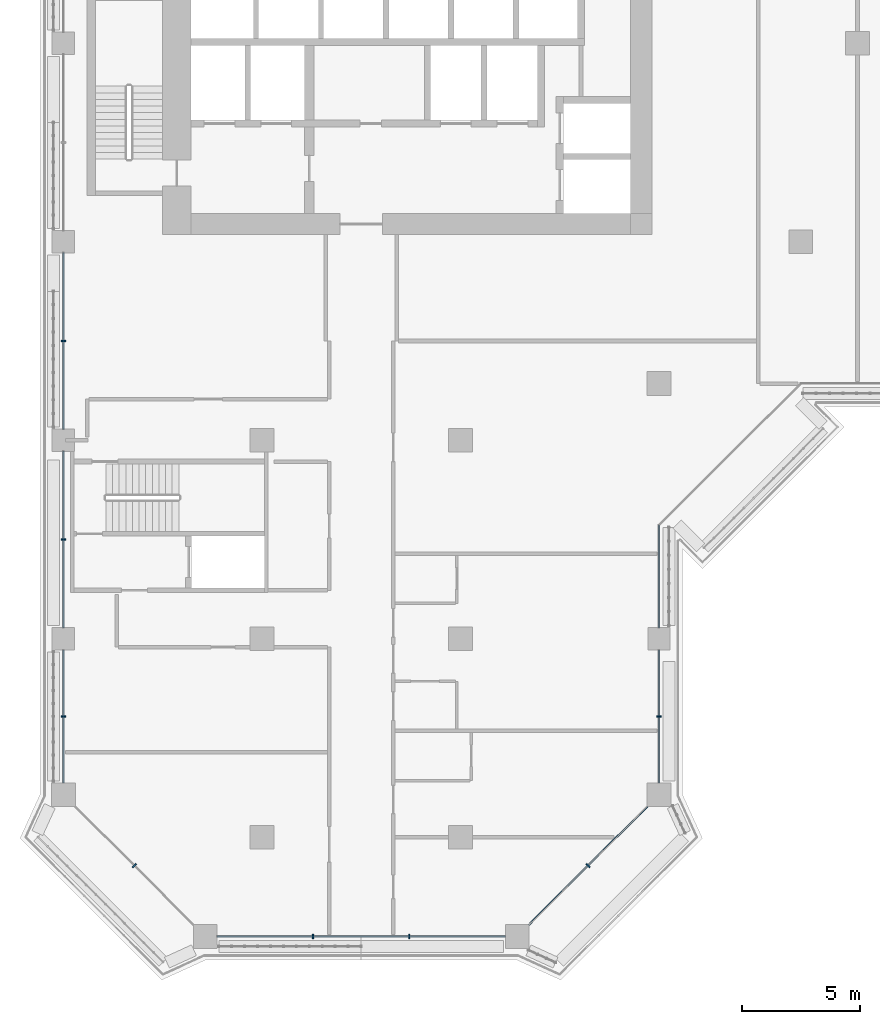
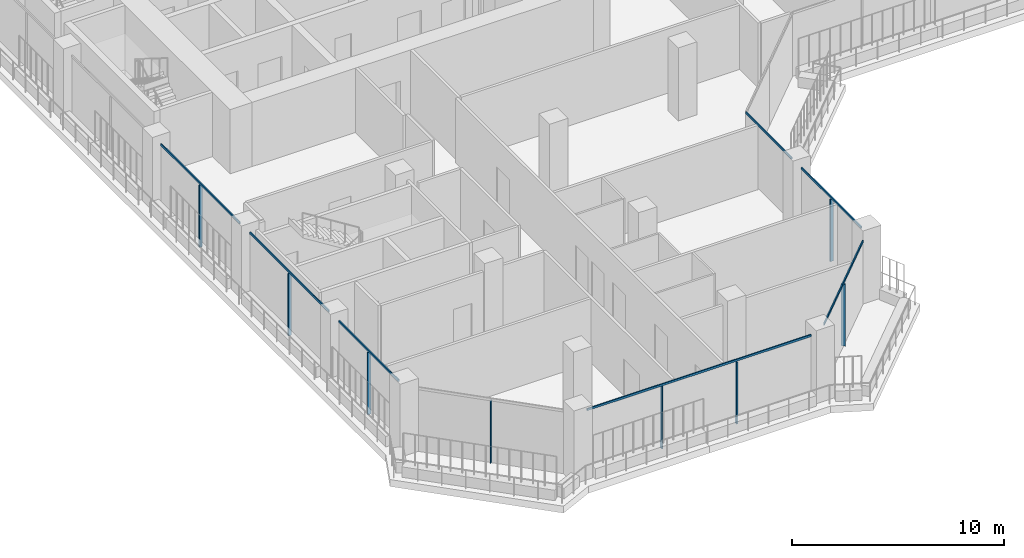
# One storey, part 2 of 22: 15 members, 5 elements without a shape of their own.
"""IFC4 building model written with IfcOpenShell, lengths in metres."""

from ifc_helpers import new_model, si_unit, direction, frame, origin, origin_2d, place, context, subcontext, project, spatial, rectangle, extrude, material, layer, layer_set, material_profile, profile_set, type_object, element, aggregate, save


model = new_model("IFC4")

# Units and contexts
model_context = context("Model", 3, precision=1e-05, world=origin(), true_north=direction((0.0, 1.0)))
body_context = subcontext(model_context, "Body", "Model", "MODEL_VIEW")
ifc_project = project(units=[si_unit("LENGTHUNIT", "METRE"), si_unit("AREAUNIT", "SQUARE_METRE"), si_unit("VOLUMEUNIT", "CUBIC_METRE"), si_unit("PLANEANGLEUNIT", "RADIAN"), si_unit("MASSUNIT", "GRAM", prefix="KILO")], contexts=[model_context])

# Site, building, storey
site_placement = place(None, origin())
site = spatial("IfcSite", under=ifc_project, at=site_placement, CompositionType="ELEMENT")
building_placement = place(site_placement, origin())
building = spatial("IfcBuilding", under=site, at=building_placement, Name="Kawkab Arch Medical Tower", CompositionType="ELEMENT")
storey_placement = place(building_placement, frame((0.0, 0.0, 208.800048828125)))
storey = spatial("IfcBuildingStorey", under=building, at=storey_placement, Name="L48", CompositionType="ELEMENT", Elevation=208.800048828125)

# Curtain wall, members
ifc_material_1 = material(Name="Bronze anodised aluminium curtain wall frame", Category="aluminium")
ifc_layer_1 = layer(ifc_material_1, 0.159912109375)
ifc_layer_set_1 = layer_set([ifc_layer_1], Name="Bronze anodised aluminium curtain wall frame")
curtain_wall_type_1 = type_object("IfcCurtainWallType", Name="CW1 ward curtain wall", PredefinedType="NOTDEFINED", material=ifc_layer_set_1)
placement = place(storey_placement, origin())
curtain_wall_1 = element("IfcCurtainWall", 1, at=placement, inside=storey, type_object=curtain_wall_type_1, Name="CW1 Ward curtain wall R01", PredefinedType="NOTDEFINED")
ifc_material_2 = material(Name="Bronze anodised aluminium curtain wall frame", Category="aluminium")
ifc_material_profile_1 = material_profile(ifc_material_2, rectangle(XDim=0.179931640625, YDim=0.06005859375, at=origin_2d()), Name="AL 60x180")
ifc_profile_set_1 = profile_set([ifc_material_profile_1], Name="Bronze anodised aluminium curtain wall frame")
member_type_1 = type_object("IfcMemberType", Name="CW1 mullion 60 x 180", PredefinedType="MULLION", material=ifc_profile_set_1)
member_1_placement = place(storey_placement, frame((0.0, -29.39990234375, 0.0), z_axis=(0.0, 0.0, 1.0), x_axis=(1.0, 0.0, 0.0)))
member_1 = element("IfcMember", 2, at=member_1_placement, type_object=member_type_1, Name="CW1 mullion 3.1", PredefinedType="MULLION", context=body_context, shape_type="SweptSolid", body=[
    extrude(rectangle(XDim=0.179931640625, YDim=0.06005859375, at=origin_2d()), origin(), (0.0, 0.0, 1.0), 3.579833984375),
])
member_2_placement = place(storey_placement, frame((0.0, -37.800048828125, 0.0), z_axis=(0.0, 0.0, 1.0), x_axis=(1.0, 0.0, 0.0)))
member_2 = element("IfcMember", 3, at=member_2_placement, type_object=member_type_1, Name="CW1 mullion 4.1", PredefinedType="MULLION", context=body_context, shape_type="SweptSolid", body=[
    extrude(rectangle(XDim=0.179931640625, YDim=0.06005859375, at=origin_2d()), origin(), (0.0, 0.0, 1.0), 3.579833984375),
])
member_3_placement = place(storey_placement, frame((0.0, -45.28759765625, 0.0), z_axis=(0.0, 0.0, 1.0), x_axis=(1.0, 0.0, 0.0)))
member_3 = element("IfcMember", 4, at=member_3_placement, type_object=member_type_1, Name="CW1 mullion 5.1", PredefinedType="MULLION", context=body_context, shape_type="SweptSolid", body=[
    extrude(rectangle(XDim=0.179931640625, YDim=0.06005859375, at=origin_2d()), origin(), (0.0, 0.0, 1.0), 3.579833984375),
])

curtain_wall_2 = element("IfcCurtainWall", 5, at=placement, inside=storey, type_object=curtain_wall_type_1, Name="CW1 Ward curtain wall R03", PredefinedType="NOTDEFINED")
member_4_placement = place(storey_placement, frame((10.566650390625, -54.60009765625, 0.0), z_axis=(0.0, 0.0, 1.0), x_axis=(0.0, 1.0, 0.0)))
member_4 = element("IfcMember", 6, at=member_4_placement, type_object=member_type_1, Name="CW1 mullion 1.1", PredefinedType="MULLION", context=body_context, shape_type="SweptSolid", body=[
    extrude(rectangle(XDim=0.179931640625, YDim=0.06005859375, at=origin_2d()), origin(), (0.0, 0.0, 1.0), 3.579833984375),
])
member_5_placement = place(storey_placement, frame((14.63330078125, -54.60009765625, 0.0), z_axis=(0.0, 0.0, 1.0), x_axis=(0.0, 1.0, 0.0)))
member_5 = element("IfcMember", 7, at=member_5_placement, type_object=member_type_1, Name="CW1 mullion 1.2", PredefinedType="MULLION", context=body_context, shape_type="SweptSolid", body=[
    extrude(rectangle(XDim=0.179931640625, YDim=0.06005859375, at=origin_2d()), origin(), (0.0, 0.0, 1.0), 3.579833984375),
])

# Curtain wall, member
curtain_wall_3 = element("IfcCurtainWall", 8, at=placement, inside=storey, type_object=curtain_wall_type_1, Name="CW1 Ward curtain wall R05", PredefinedType="NOTDEFINED")
member_6_placement = place(storey_placement, frame((25.199951171875, -45.28759765625, 0.0), z_axis=(0.0, 0.0, 1.0), x_axis=(-1.0, 0.0, 0.0)))
member_6 = element("IfcMember", 9, at=member_6_placement, type_object=member_type_1, Name="CW1 mullion 1.1", PredefinedType="MULLION", context=body_context, shape_type="SweptSolid", body=[
    extrude(rectangle(XDim=0.179931640625, YDim=0.06005859375, at=origin_2d()), origin(), (0.0, 0.0, 1.0), 3.579833984375),
])

# Member
ifc_material_3 = material(Name="Bronze anodised aluminium curtain wall frame", Category="aluminium")
ifc_material_profile_2 = material_profile(ifc_material_3, rectangle(XDim=0.06005859375, YDim=0.1201171875, at=origin_2d()), Name="AL 60x120")
ifc_profile_set_2 = profile_set([ifc_material_profile_2], Name="Bronze anodised aluminium curtain wall frame")
member_type_2 = type_object("IfcMemberType", Name="CW1 transom 120 x 60", PredefinedType="USERDEFINED", material=ifc_profile_set_2)
member_7_placement = place(storey_placement, frame((0.0, -25.675048828125, 3.639892578125), z_axis=(0.0, -1.0, 0.0), x_axis=(1.0, 0.0, 0.0)))
member_7 = element("IfcMember", 10, at=member_7_placement, type_object=member_type_2, Name="CW1 transom 3", ObjectType="TRANSOM", PredefinedType="USERDEFINED", context=body_context, shape_type="SweptSolid", body=[
    extrude(rectangle(XDim=0.06005859375, YDim=0.1201171875, at=origin_2d()), origin(), (0.0, 0.0, 1.0), 7.449951171875),
])

member_8_placement = place(storey_placement, frame((0.0, -34.074951171875, 3.639892578125), z_axis=(0.0, -1.0, 0.0), x_axis=(1.0, 0.0, 0.0)))
member_8 = element("IfcMember", 11, at=member_8_placement, type_object=member_type_2, Name="CW1 transom 4", ObjectType="TRANSOM", PredefinedType="USERDEFINED", context=body_context, shape_type="SweptSolid", body=[
    extrude(rectangle(XDim=0.06005859375, YDim=0.1201171875, at=origin_2d()), origin(), (0.0, 0.0, 1.0), 7.449951171875),
])

member_9_placement = place(storey_placement, frame((0.0, -42.47509765625, 3.639892578125), z_axis=(0.0, -1.0, 0.0), x_axis=(1.0, 0.0, 0.0)))
member_9 = element("IfcMember", 12, at=member_9_placement, type_object=member_type_2, Name="CW1 transom 5", ObjectType="TRANSOM", PredefinedType="USERDEFINED", context=body_context, shape_type="SweptSolid", body=[
    extrude(rectangle(XDim=0.06005859375, YDim=0.1201171875, at=origin_2d()), origin(), (0.0, 0.0, 1.0), 5.625),
])

aggregate(curtain_wall_1, [member_7, member_1, member_8, member_2, member_9, member_3])

member_10_placement = place(storey_placement, frame((6.5, -54.60009765625, 3.639892578125), z_axis=(1.0, 0.0, 0.0), x_axis=(0.0, 1.0, 0.0)))
member_10 = element("IfcMember", 13, at=member_10_placement, type_object=member_type_2, Name="CW1 transom 1", ObjectType="TRANSOM", PredefinedType="USERDEFINED", context=body_context, shape_type="SweptSolid", body=[
    extrude(rectangle(XDim=0.06005859375, YDim=0.1201171875, at=origin_2d()), origin(), (0.0, 0.0, 1.0), 12.199951171875),
])

aggregate(curtain_wall_2, [member_10, member_4, member_5])

member_11_placement = place(storey_placement, frame((25.199951171875, -48.10009765625, 3.639892578125), z_axis=(0.0, 1.0, 0.0), x_axis=(-1.0, 0.0, 0.0)))
member_11 = element("IfcMember", 14, at=member_11_placement, type_object=member_type_2, Name="CW1 transom 1", ObjectType="TRANSOM", PredefinedType="USERDEFINED", context=body_context, shape_type="SweptSolid", body=[
    extrude(rectangle(XDim=0.06005859375, YDim=0.1201171875, at=origin_2d()), origin(), (0.0, 0.0, 1.0), 5.625),
])

member_12_placement = place(storey_placement, frame((25.199951171875, -41.52490234375, 3.639892578125), z_axis=(0.0, 1.0, 0.0), x_axis=(-1.0, 0.0, 0.0)))
member_12 = element("IfcMember", 15, at=member_12_placement, type_object=member_type_2, Name="CW1 transom 2", ObjectType="TRANSOM", PredefinedType="USERDEFINED", context=body_context, shape_type="SweptSolid", body=[
    extrude(rectangle(XDim=0.06005859375, YDim=0.1201171875, at=origin_2d()), origin(), (0.0, 0.0, 1.0), 4.324951171875),
])

aggregate(curtain_wall_3, [member_11, member_6, member_12])

# Curtain wall, member
ifc_material_4 = material(Name="Bronze anodised aluminium curtain wall frame", Category="aluminium")
ifc_layer_2 = layer(ifc_material_4, 0.159912109375)
ifc_layer_set_2 = layer_set([ifc_layer_2], Name="Bronze anodised aluminium curtain wall frame")
curtain_wall_type_2 = type_object("IfcCurtainWallType", Name="CW2 chamfer curtain wall", PredefinedType="NOTDEFINED", material=ifc_layer_set_2)
curtain_wall_4 = element("IfcCurtainWall", 16, at=placement, inside=storey, type_object=curtain_wall_type_2, Name="CW2 Chamfer curtain wall R02", PredefinedType="NOTDEFINED")
ifc_material_5 = material(Name="Bronze anodised aluminium curtain wall frame", Category="aluminium")
ifc_material_profile_3 = material_profile(ifc_material_5, rectangle(XDim=0.199951171875, YDim=0.06005859375, at=origin_2d()), Name="AL 60x200")
ifc_profile_set_3 = profile_set([ifc_material_profile_3], Name="Bronze anodised aluminium curtain wall frame")
member_type_3 = type_object("IfcMemberType", Name="CW2 mullion 60 x 200", PredefinedType="MULLION", material=ifc_profile_set_3)
member_13_placement = place(storey_placement, frame((3.0, -51.60009765625, 0.0), z_axis=(0.0, 0.0, 1.0), x_axis=(0.707106781187, 0.707106781187, 0.0)))
member_13 = element("IfcMember", 17, at=member_13_placement, type_object=member_type_3, Name="CW2 mullion 1.1", PredefinedType="MULLION", context=body_context, shape_type="SweptSolid", body=[
    extrude(rectangle(XDim=0.199951171875, YDim=0.06005859375, at=origin_2d()), origin(), (0.0, 0.0, 1.0), 3.56005859375),
])
aggregate(curtain_wall_4, [member_13])

# Curtain wall, members
curtain_wall_5 = element("IfcCurtainWall", 18, at=placement, inside=storey, type_object=curtain_wall_type_2, Name="CW2 Chamfer curtain wall R04", PredefinedType="NOTDEFINED")
member_14_placement = place(storey_placement, frame((22.199951171875, -51.60009765625, 0.0), z_axis=(0.0, 0.0, 1.0), x_axis=(-0.707106781187, 0.707106781187, 0.0)))
member_14 = element("IfcMember", 19, at=member_14_placement, type_object=member_type_3, Name="CW2 mullion 1.1", PredefinedType="MULLION", context=body_context, shape_type="SweptSolid", body=[
    extrude(rectangle(XDim=0.199951171875, YDim=0.06005859375, at=origin_2d()), origin(), (0.0, 0.0, 1.0), 3.56005859375),
])
ifc_material_6 = material(Name="Bronze anodised aluminium curtain wall frame", Category="aluminium")
ifc_material_profile_4 = material_profile(ifc_material_6, rectangle(XDim=0.06005859375, YDim=0.139892578125, at=origin_2d()), Name="AL 60x140")
ifc_profile_set_4 = profile_set([ifc_material_profile_4], Name="Bronze anodised aluminium curtain wall frame")
member_type_4 = type_object("IfcMemberType", Name="CW2 transom 140 x 60", PredefinedType="USERDEFINED", material=ifc_profile_set_4)
member_15_placement = place(storey_placement, frame((19.699951171875, -54.10009765625, 3.6298828125), z_axis=(0.707106781187, 0.707106781187, 0.0), x_axis=(-0.707106781187, 0.707106781187, 0.0)))
member_15 = element("IfcMember", 20, at=member_15_placement, type_object=member_type_4, Name="CW2 transom 1", ObjectType="TRANSOM", PredefinedType="USERDEFINED", context=body_context, shape_type="SweptSolid", body=[
    extrude(rectangle(XDim=0.06005859375, YDim=0.139892578125, at=origin_2d()), origin(), (0.0, 0.0, 1.0), 7.071044921875),
])
aggregate(curtain_wall_5, [member_15, member_14])

save(model, "model.ifc")
